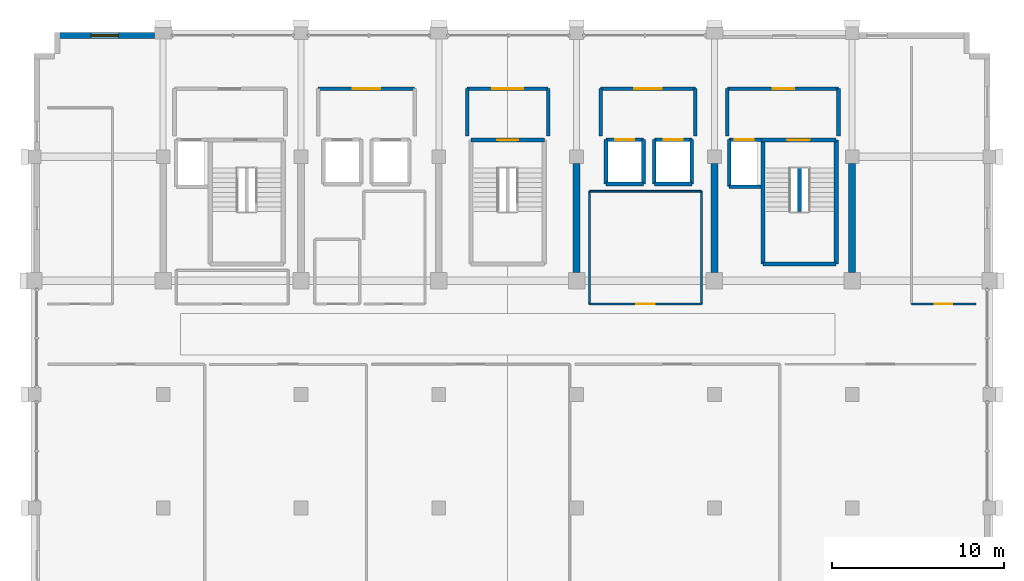
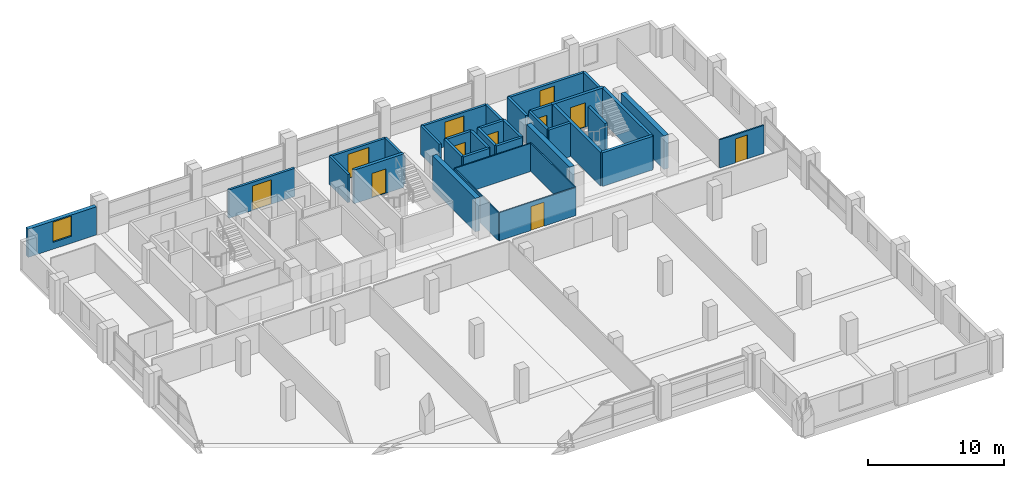
# One storey, part 21 of 23: 36 walls, 11 doors, 1 window, 12 openings.
"""IFC4 building model written with IfcOpenShell, lengths in metres."""

from ifc_helpers import new_model, si_unit, direction, frame, frame_2d, origin, place, context, subcontext, project, spatial, rectangle, extrude, material, layer, layer_set, type_object, element, fill, save


model = new_model("IFC4")

# Units and contexts
model_context = context("Model", 3, precision=1e-05, world=origin(), true_north=direction((0.0, 1.0)))
body_context = subcontext(model_context, "Body", "Model", "MODEL_VIEW")
ifc_project = project(units=[si_unit("LENGTHUNIT", "METRE"), si_unit("AREAUNIT", "SQUARE_METRE"), si_unit("VOLUMEUNIT", "CUBIC_METRE"), si_unit("PLANEANGLEUNIT", "RADIAN"), si_unit("MASSUNIT", "GRAM", prefix="KILO")], contexts=[model_context])

# Site, building, storey
site_placement = place(None, origin())
site = spatial("IfcSite", under=ifc_project, at=site_placement, CompositionType="ELEMENT")
building_placement = place(site_placement, origin())
building = spatial("IfcBuilding", under=site, at=building_placement, Name="Akrevak Sports Hall", CompositionType="ELEMENT")
storey_placement = place(building_placement, frame((0.0, 0.0, 43.800048828125)))
storey = spatial("IfcBuildingStorey", under=building, at=storey_placement, Name="L10", CompositionType="ELEMENT", Elevation=43.800048828125)

# Wall, opening, window
ifc_material_1 = material(Name="Limestone Ashlar", Category="stone")
ifc_layer_1 = layer(ifc_material_1, 0.070068359375, Name="Limestone Ashlar")
ifc_material_2 = material(Name="Mineral Wool Thermal Insulation", Category="insulation")
ifc_layer_2 = layer(ifc_material_2, 0.090087890625, Name="Mineral Wool Thermal Insulation")
ifc_material_3 = material(Name="Concrete C40/50", Category="concrete")
ifc_layer_3 = layer(ifc_material_3, 0.159912109375, Name="Concrete C40/50")
ifc_layer_set_1 = layer_set([ifc_layer_1, ifc_layer_2, ifc_layer_3], Name="Limestone Ashlar / Mineral Wool Thermal Insulation / Concrete C40/50")
wall_type_1 = type_object("IfcWallType", Name="ARC-WL-EXT-320", PredefinedType="SOLIDWALL", material=ifc_layer_set_1)
wall_1_placement = place(storey_placement, frame((59.5, 69.43994140625, 0.0), z_axis=(0.0, 0.0, 1.0), x_axis=(-1.0, 0.0, 0.0)))
wall_1 = element("IfcWall", 1, at=wall_1_placement, inside=storey, type_object=wall_type_1, Name="Tower Stone Facade Wall L10-N25", PredefinedType="SOLIDWALL", context=body_context, shape_type="SweptSolid", body=[
    extrude(rectangle(XDim=5.800048828125, YDim=0.320068359375, at=frame_2d((2.89990234375, 0.0))), origin(), (0.0, 0.0, 1.0), 2.530029296875),
])
opening_1_placement = place(wall_1_placement, frame((2.10009765625, 0.0, 0.6201171875)))
opening_1 = element("IfcOpeningElement", 2, at=opening_1_placement, cuts=wall_1, Name="Opening WN-57", PredefinedType="OPENING", context=body_context, shape_type="SweptSolid", body=[
    extrude(rectangle(XDim=1.60009765625, YDim=1.81005859375, at=frame_2d((0.800048828125, 0.905029296875))), frame((0.0, 0.171875, 0.0), z_axis=(0.0, -1.0, 0.0), x_axis=(1.0, 0.0, 0.0)), (0.0, 0.0, 1.0), 0.343994140625),
])
ifc_material_4 = material(Name="Thermally Broken Bronze Frame & Double Low-E Glass", Category="glass")
window_type = type_object("IfcWindowType", Name="ARC-WIN-SZ-1600x1810", PartitioningType="SINGLE_PANEL", PredefinedType="WINDOW", material=ifc_material_4)
window_placement = place(opening_1_placement, origin())
window = element("IfcWindow", 3, at=window_placement, inside=storey, type_object=window_type, Name="Tower Window L10-N25", OverallHeight=1.81005859375, OverallWidth=1.60009765625, PartitioningType="SINGLE_PANEL", PredefinedType="WINDOW", context=body_context, shape_type="SweptSolid", body=[
    extrude(rectangle(XDim=1.60009765625, YDim=1.81005859375, at=frame_2d((0.800048828125, 0.905029296875))), frame((0.0, 0.030029296875, 0.0), z_axis=(0.0, -1.0, 0.0), x_axis=(1.0, 0.0, 0.0)), (0.0, 0.0, 1.0), 0.06005859375),
])
fill(opening_1, window)

# Wall, opening, door
ifc_material_5 = material(Name="Sanitary Cubicle Partition", Category="gypsum")
ifc_layer_4 = layer(ifc_material_5, 0.10009765625, Name="Sanitary Cubicle Partition")
ifc_layer_set_2 = layer_set([ifc_layer_4], Name="Sanitary Cubicle Partition")
wall_type_2 = type_object("IfcWallType", Name="ARC-WL-PRT-100", PredefinedType="PARTITIONING", material=ifc_layer_set_2)
wall_2_placement = place(storey_placement, frame((84.75, 53.85009765625, 0.0), z_axis=(0.0, 0.0, 1.0), x_axis=(1.0, 0.0, 0.0)))
wall_2 = element("IfcWall", 4, at=wall_2_placement, inside=storey, type_object=wall_type_2, Name="Interior Partition Sports Officiating Office L10-C1 (S)", PredefinedType="PARTITIONING", context=body_context, shape_type="SweptSolid", body=[
    extrude(rectangle(XDim=6.5, YDim=0.10009765625, at=frame_2d((3.25, 0.0))), origin(), (0.0, 0.0, 1.0), 2.530029296875),
])
opening_2_placement = place(wall_2_placement, frame((2.699951171875, 0.0, 0.0)))
opening_2 = element("IfcOpeningElement", 5, at=opening_2_placement, cuts=wall_2, Name="Opening ID-04", PredefinedType="OPENING", context=body_context, shape_type="SweptSolid", body=[
    extrude(rectangle(XDim=1.10009765625, YDim=2.14990234375, at=frame_2d((0.550048828125, 1.074951171875))), frame((0.0, 0.06201171875, 0.0), z_axis=(0.0, -1.0, 0.0), x_axis=(1.0, 0.0, 0.0)), (0.0, 0.0, 1.0), 0.1240234375),
])
ifc_material_6 = material(Name="Hardwood Oak Acoustic Leaf", Category="wood")
door_type_1 = type_object("IfcDoorType", Name="ARC-DR-OFF-110x215", OperationType="NOTDEFINED", PredefinedType="DOOR", material=ifc_material_6)
door_1_placement = place(opening_2_placement, frame((1.10009765625, 0.0, 0.0), z_axis=(0.0, 0.0, 1.0), x_axis=(-1.0, 0.0, 0.0)))
door_1 = element("IfcDoor", 6, at=door_1_placement, inside=storey, type_object=door_type_1, Name="Door to Sports Officiating Office L10-C1", OperationType="SINGLE_SWING_RIGHT", OverallHeight=2.14990234375, OverallWidth=1.10009765625, PredefinedType="DOOR", context=body_context, shape_type="SweptSolid", body=[
    extrude(rectangle(XDim=1.10009765625, YDim=2.14990234375, at=frame_2d((0.550048828125, 1.074951171875))), frame((0.0, 0.02490234375, 0.0), z_axis=(0.0, -1.0, 0.0), x_axis=(1.0, 0.0, 0.0)), (0.0, 0.0, 1.0), 0.050048828125),
])
fill(opening_2, door_1)

# Walls
wall_3_placement = place(storey_placement, frame((84.75, 60.39990234375, 0.0), z_axis=(0.0, 0.0, 1.0), x_axis=(1.0, 0.0, 0.0)))
element("IfcWall", 7, at=wall_3_placement, inside=storey, type_object=wall_type_2, Name="Interior Partition Sports Officiating Office L10-C1 (N)", PredefinedType="PARTITIONING", context=body_context, shape_type="SweptSolid", body=[
    extrude(rectangle(XDim=6.5, YDim=0.10009765625, at=frame_2d((3.25, 0.0))), origin(), (0.0, 0.0, 1.0), 2.530029296875),
])
for number, where, z_axis, x_axis, name in (
    (8, (84.75, 53.85009765625, 0.0), (0.0, 0.0, 1.0), (0.0, 1.0, 0.0), "Interior Partition Sports Officiating Office L10-C1 (W)"),
    (9, (91.25, 53.85009765625, 0.0), (0.0, 0.0, 1.0), (0.0, 1.0, 0.0), "Interior Partition Sports Officiating Office L10-C1 (E)"),
):
    element("IfcWall", number, at=place(storey_placement, frame(where, z_axis=z_axis, x_axis=x_axis)), inside=storey, type_object=wall_type_2, Name=name, PredefinedType="PARTITIONING", context=body_context, shape_type="SweptSolid", body=[
        extrude(rectangle(XDim=6.5498046875, YDim=0.10009765625, at=frame_2d((3.27490234375, 0.0))), origin(), (0.0, 0.0, 1.0), 2.530029296875),
    ])

# Wall, opening, door
ifc_material_7 = material(Name="Standard Metal Stud Partition", Category="gypsum")
ifc_layer_5 = layer(ifc_material_7, 0.1201171875, Name="Standard Metal Stud Partition")
ifc_layer_set_3 = layer_set([ifc_layer_5], Name="Standard Metal Stud Partition")
wall_type_3 = type_object("IfcWallType", Name="ARC-WL-PRT-120", PredefinedType="PARTITIONING", material=ifc_layer_set_3)
wall_4_placement = place(storey_placement, frame((103.449951171875, 53.85009765625, 0.0), z_axis=(0.0, 0.0, 1.0), x_axis=(1.0, 0.0, 0.0)))
wall_4 = element("IfcWall", 10, at=wall_4_placement, inside=storey, type_object=wall_type_3, Name="Interior Partition Federation Research Office L10-E1 (S)", PredefinedType="PARTITIONING", context=body_context, shape_type="SweptSolid", body=[
    extrude(rectangle(XDim=3.75, YDim=0.1201171875, at=frame_2d((1.875, 0.0))), origin(), (0.0, 0.0, 1.0), 2.530029296875),
])
opening_3_placement = place(wall_4_placement, frame((1.35009765625, 0.0, 0.0)))
opening_3 = element("IfcOpeningElement", 11, at=opening_3_placement, cuts=wall_4, Name="Opening ID-06", PredefinedType="OPENING", context=body_context, shape_type="SweptSolid", body=[
    extrude(rectangle(XDim=1.0, YDim=2.14990234375, at=frame_2d((0.5, 1.074951171875))), frame((0.0, 0.072021484375, 0.0), z_axis=(0.0, -1.0, 0.0), x_axis=(1.0, 0.0, 0.0)), (0.0, 0.0, 1.0), 0.14404296875),
])
door_type_2 = type_object("IfcDoorType", Name="ARC-DR-OFF-100x215", OperationType="NOTDEFINED", PredefinedType="DOOR", material=ifc_material_6)
door_2_placement = place(opening_3_placement, origin())
door_2 = element("IfcDoor", 12, at=door_2_placement, inside=storey, type_object=door_type_2, Name="Door to Federation Research Office L10-E1", OperationType="SINGLE_SWING_LEFT", OverallHeight=2.14990234375, OverallWidth=1.0, PredefinedType="DOOR", context=body_context, shape_type="SweptSolid", body=[
    extrude(rectangle(XDim=1.0, YDim=2.14990234375, at=frame_2d((0.5, 1.074951171875))), frame((0.0, 0.02490234375, 0.0), z_axis=(0.0, -1.0, 0.0), x_axis=(1.0, 0.0, 0.0)), (0.0, 0.0, 1.0), 0.050048828125),
])
fill(opening_3, door_2)

ifc_material_8 = material(Name="Autoclaved Aerated Masonry Block", Category="masonry")
ifc_layer_6 = layer(ifc_material_8, 0.199951171875, Name="Autoclaved Aerated Masonry Block")
ifc_layer_set_4 = layer_set([ifc_layer_6], Name="Autoclaved Aerated Masonry Block")
wall_type_4 = type_object("IfcWallType", Name="ARC-WL-PRT-200", PredefinedType="PARTITIONING", material=ifc_layer_set_4)
wall_5_placement = place(storey_placement, frame((69.0, 66.35009765625, 0.0), z_axis=(0.0, 0.0, 1.0), x_axis=(1.0, 0.0, 0.0)))
wall_5 = element("IfcWall", 13, at=wall_5_placement, inside=storey, type_object=wall_type_4, Name="Interior Partition West Passenger Lift Lobby L10 (N)", PredefinedType="PARTITIONING", context=body_context, shape_type="SweptSolid", body=[
    extrude(rectangle(XDim=5.60009765625, YDim=0.199951171875, at=frame_2d((2.800048828125, 0.0))), origin(), (0.0, 0.0, 1.0), 2.530029296875),
])
opening_4_placement = place(wall_5_placement, frame((2.0, 0.0, 0.0)))
opening_4 = element("IfcOpeningElement", 14, at=opening_4_placement, cuts=wall_5, Name="Opening ID-03", PredefinedType="OPENING", context=body_context, shape_type="SweptSolid", body=[
    extrude(rectangle(XDim=1.60009765625, YDim=2.199951171875, at=frame_2d((0.800048828125, 1.10009765625))), frame((0.0, 0.11181640625, 0.0), z_axis=(0.0, -1.0, 0.0), x_axis=(1.0, 0.0, 0.0)), (0.0, 0.0, 1.0), 0.223876953125),
])
ifc_material_9 = material(Name="Hardwood Oak & Safety Glass", Category="wood")
door_type_3 = type_object("IfcDoorType", Name="ARC-DR-HALL-160x220", OperationType="DOUBLE_DOOR_SINGLE_SWING", PredefinedType="DOOR", material=ifc_material_9)
door_3_placement = place(opening_4_placement, origin())
door_3 = element("IfcDoor", 15, at=door_3_placement, inside=storey, type_object=door_type_3, Name="Door to West Passenger Lift Lobby L10", OperationType="DOUBLE_DOOR_SINGLE_SWING", OverallHeight=2.199951171875, OverallWidth=1.60009765625, PredefinedType="DOOR", context=body_context, shape_type="SweptSolid", body=[
    extrude(rectangle(XDim=1.60009765625, YDim=2.199951171875, at=frame_2d((0.800048828125, 1.10009765625))), frame((0.0, 0.02490234375, 0.0), z_axis=(0.0, -1.0, 0.0), x_axis=(1.0, 0.0, 0.0)), (0.0, 0.0, 1.0), 0.050048828125),
])
fill(opening_4, door_3)

wall_6_placement = place(storey_placement, frame((85.39990234375, 66.35009765625, 0.0), z_axis=(0.0, 0.0, 1.0), x_axis=(1.0, 0.0, 0.0)))
wall_6 = element("IfcWall", 16, at=wall_6_placement, inside=storey, type_object=wall_type_4, Name="Interior Partition East Passenger Lift Lobby L10 (N)", PredefinedType="PARTITIONING", context=body_context, shape_type="SweptSolid", body=[
    extrude(rectangle(XDim=5.5, YDim=0.199951171875, at=frame_2d((2.75, 0.0))), origin(), (0.0, 0.0, 1.0), 2.530029296875),
])
opening_5_placement = place(wall_6_placement, frame((1.949951171875, 0.0, 0.0)))
opening_5 = element("IfcOpeningElement", 17, at=opening_5_placement, cuts=wall_6, Name="Opening ID-03", PredefinedType="OPENING", context=body_context, shape_type="SweptSolid", body=[
    extrude(rectangle(XDim=1.60009765625, YDim=2.199951171875, at=frame_2d((0.800048828125, 1.10009765625))), frame((0.0, 0.11181640625, 0.0), z_axis=(0.0, -1.0, 0.0), x_axis=(1.0, 0.0, 0.0)), (0.0, 0.0, 1.0), 0.223876953125),
])
door_4_placement = place(opening_5_placement, origin())
door_4 = element("IfcDoor", 18, at=door_4_placement, inside=storey, type_object=door_type_3, Name="Door to East Passenger Lift Lobby L10", OperationType="DOUBLE_DOOR_SINGLE_SWING", OverallHeight=2.199951171875, OverallWidth=1.60009765625, PredefinedType="DOOR", context=body_context, shape_type="SweptSolid", body=[
    extrude(rectangle(XDim=1.60009765625, YDim=2.199951171875, at=frame_2d((0.800048828125, 1.10009765625))), frame((0.0, 0.02490234375, 0.0), z_axis=(0.0, -1.0, 0.0), x_axis=(1.0, 0.0, 0.0)), (0.0, 0.0, 1.0), 0.050048828125),
])
fill(opening_5, door_4)

# Walls
for number, where, z_axis, x_axis, name in (
    (19, (85.39990234375, 63.60009765625, 0.0), (0.0, 0.0, 1.0), (0.0, 1.0, 0.0), "Interior Partition East Passenger Lift Lobby L10 (W)"),
    (20, (90.89990234375, 63.60009765625, 0.0), (0.0, 0.0, 1.0), (0.0, 1.0, 0.0), "Interior Partition East Passenger Lift Lobby L10 (E)"),
):
    element("IfcWall", number, at=place(storey_placement, frame(where, z_axis=z_axis, x_axis=x_axis)), inside=storey, type_object=wall_type_4, Name=name, PredefinedType="PARTITIONING", context=body_context, shape_type="SweptSolid", body=[
        extrude(rectangle(XDim=2.75, YDim=0.199951171875, at=frame_2d((1.375, 0.0))), origin(), (0.0, 0.0, 1.0), 2.530029296875),
    ])

# Wall, opening, door
wall_7_placement = place(storey_placement, frame((77.64990234375, 66.35009765625, 0.0), z_axis=(0.0, 0.0, 1.0), x_axis=(1.0, 0.0, 0.0)))
wall_7 = element("IfcWall", 21, at=wall_7_placement, inside=storey, type_object=wall_type_4, Name="Interior Partition Central Stair ST3 Vestibule L10 (N)", PredefinedType="PARTITIONING", context=body_context, shape_type="SweptSolid", body=[
    extrude(rectangle(XDim=4.7001953125, YDim=0.199951171875, at=frame_2d((2.35009765625, 0.0))), origin(), (0.0, 0.0, 1.0), 2.530029296875),
])
opening_6_placement = place(wall_7_placement, frame((1.449951171875, 0.0, 0.0)))
opening_6 = element("IfcOpeningElement", 22, at=opening_6_placement, cuts=wall_7, Name="Opening FD-02", PredefinedType="OPENING", context=body_context, shape_type="SweptSolid", body=[
    extrude(rectangle(XDim=1.800048828125, YDim=2.199951171875, at=frame_2d((0.89990234375, 1.10009765625))), frame((0.0, 0.11181640625, 0.0), z_axis=(0.0, -1.0, 0.0), x_axis=(1.0, 0.0, 0.0)), (0.0, 0.0, 1.0), 0.223876953125),
])
ifc_material_10 = material(Name="Fire-Rated Galvanized Door Steel", Category="steel")
door_type_4 = type_object("IfcDoorType", Name="ARC-DR-FIRE-180x220", OperationType="DOUBLE_DOOR_SINGLE_SWING", PredefinedType="DOOR", material=ifc_material_10)
door_5_placement = place(opening_6_placement, frame((1.800048828125, 0.0, 0.0), z_axis=(0.0, 0.0, 1.0), x_axis=(-1.0, 0.0, 0.0)))
door_5 = element("IfcDoor", 23, at=door_5_placement, inside=storey, type_object=door_type_4, Name="Door to Central Stair ST3 Vestibule L10", OperationType="DOUBLE_DOOR_SINGLE_SWING", OverallHeight=2.199951171875, OverallWidth=1.800048828125, PredefinedType="DOOR", context=body_context, shape_type="SweptSolid", body=[
    extrude(rectangle(XDim=1.800048828125, YDim=2.199951171875, at=frame_2d((0.89990234375, 1.10009765625))), frame((0.0, 0.02490234375, 0.0), z_axis=(0.0, -1.0, 0.0), x_axis=(1.0, 0.0, 0.0)), (0.0, 0.0, 1.0), 0.050048828125),
])
fill(opening_6, door_5)

# Walls
for number, where, z_axis, x_axis, name in (
    (24, (77.64990234375, 63.60009765625, 0.0), (0.0, 0.0, 1.0), (0.0, 1.0, 0.0), "Interior Partition Central Stair ST3 Vestibule L10 (W)"),
    (25, (82.35009765625, 63.60009765625, 0.0), (0.0, 0.0, 1.0), (0.0, 1.0, 0.0), "Interior Partition Central Stair ST3 Vestibule L10 (E)"),
):
    element("IfcWall", number, at=place(storey_placement, frame(where, z_axis=z_axis, x_axis=x_axis)), inside=storey, type_object=wall_type_4, Name=name, PredefinedType="PARTITIONING", context=body_context, shape_type="SweptSolid", body=[
        extrude(rectangle(XDim=2.75, YDim=0.199951171875, at=frame_2d((1.375, 0.0))), origin(), (0.0, 0.0, 1.0), 2.530029296875),
    ])
ifc_layer_7 = layer(ifc_material_3, 0.219970703125, Name="Concrete C40/50")
ifc_layer_set_5 = layer_set([ifc_layer_7], Name="Concrete C40/50")
wall_type_5 = type_object("IfcWallType", Name="ARC-WL-PRT-220", PredefinedType="PARTITIONING", material=ifc_layer_set_5)
wall_8_placement = place(storey_placement, frame((96.949951171875, 59.215087890625, 0.0), z_axis=(0.0, 0.0, 1.0), x_axis=(0.0, 1.0, 0.0)))
element("IfcWall", 26, at=wall_8_placement, inside=storey, type_object=wall_type_5, Name="Stair ST2 Central Spine Wall (L10)", PredefinedType="PARTITIONING", context=body_context, shape_type="SweptSolid", body=[
    extrude(rectangle(XDim=2.52001953125, YDim=0.219970703125, at=frame_2d((1.260009765625, 0.0))), origin(), (0.0, 0.0, 1.0), 3.02001953125),
])

# Wall, opening, door
wall_9_placement = place(storey_placement, frame((92.75, 66.35009765625, 0.0), z_axis=(0.0, 0.0, 1.0), x_axis=(1.0, 0.0, 0.0)))
wall_9 = element("IfcWall", 27, at=wall_9_placement, inside=storey, type_object=wall_type_5, Name="Interior Partition Firefighting Lobby East L10 (N)", PredefinedType="PARTITIONING", context=body_context, shape_type="SweptSolid", body=[
    extrude(rectangle(XDim=6.449951171875, YDim=0.219970703125, at=frame_2d((3.22509765625, 0.0))), origin(), (0.0, 0.0, 1.0), 2.530029296875),
])
opening_7_placement = place(wall_9_placement, frame((2.625, 0.0, 0.0)))
opening_7 = element("IfcOpeningElement", 28, at=opening_7_placement, cuts=wall_9, Name="Opening FD-01", PredefinedType="OPENING", context=body_context, shape_type="SweptSolid", body=[
    extrude(rectangle(XDim=1.25, YDim=2.199951171875, at=frame_2d((0.625, 1.10009765625))), frame((0.0, 0.1220703125, 0.0), z_axis=(0.0, -1.0, 0.0), x_axis=(1.0, 0.0, 0.0)), (0.0, 0.0, 1.0), 0.243896484375),
])
door_type_5 = type_object("IfcDoorType", Name="ARC-DR-FFL-125x220", OperationType="NOTDEFINED", PredefinedType="DOOR", material=ifc_material_10)
door_6_placement = place(opening_7_placement, frame((1.25, 0.0, 0.0), z_axis=(0.0, 0.0, 1.0), x_axis=(-1.0, 0.0, 0.0)))
door_6 = element("IfcDoor", 29, at=door_6_placement, inside=storey, type_object=door_type_5, Name="Door to Firefighting Lobby East L10", OperationType="SINGLE_SWING_LEFT", OverallHeight=2.199951171875, OverallWidth=1.25, PredefinedType="DOOR", context=body_context, shape_type="SweptSolid", body=[
    extrude(rectangle(XDim=1.25, YDim=2.199951171875, at=frame_2d((0.625, 1.10009765625))), frame((0.0, 0.02490234375, 0.0), z_axis=(0.0, -1.0, 0.0), x_axis=(1.0, 0.0, 0.0)), (0.0, 0.0, 1.0), 0.050048828125),
])
fill(opening_7, door_6)

# Walls
for number, where, z_axis, x_axis, name in (
    (30, (92.75, 63.60009765625, 0.0), (0.0, 0.0, 1.0), (0.0, 1.0, 0.0), "Interior Partition Firefighting Lobby East L10 (W)"),
    (31, (99.199951171875, 63.60009765625, 0.0), (0.0, 0.0, 1.0), (0.0, 1.0, 0.0), "Interior Partition Firefighting Lobby East L10 (E)"),
):
    element("IfcWall", number, at=place(storey_placement, frame(where, z_axis=z_axis, x_axis=x_axis)), inside=storey, type_object=wall_type_5, Name=name, PredefinedType="PARTITIONING", context=body_context, shape_type="SweptSolid", body=[
        extrude(rectangle(XDim=2.75, YDim=0.219970703125, at=frame_2d((1.375, 0.0))), origin(), (0.0, 0.0, 1.0), 2.530029296875),
    ])
ifc_material_11 = material(Name="Concrete C50/60", Category="concrete")
ifc_layer_8 = layer(ifc_material_11, 0.219970703125, Name="Concrete C50/60")
ifc_layer_set_6 = layer_set([ifc_layer_8], Name="Concrete C50/60")
wall_type_6 = type_object("IfcWallType", Name="ARC-WL-SHAFT-220", PredefinedType="SHEAR", material=ifc_layer_set_6)
wall_10_placement = place(storey_placement, frame((92.860107421875, 60.659912109375, 0.0), z_axis=(0.0, 0.0, 1.0), x_axis=(1.0, 0.0, 0.0)))
element("IfcWall", 32, at=wall_10_placement, inside=storey, type_object=wall_type_6, Name="Lift Shaft LF-FF2 Wall S (L10)", PredefinedType="SHEAR", context=body_context, shape_type="SweptSolid", body=[
    extrude(rectangle(XDim=1.83984375, YDim=0.219970703125, at=frame_2d((0.919921875, 0.0))), origin(), (0.0, 0.0, 1.0), 3.02001953125),
])

# Wall, opening, door
wall_11_placement = place(storey_placement, frame((94.699951171875, 63.389892578125, 0.0), z_axis=(0.0, 0.0, 1.0), x_axis=(-1.0, 0.0, 0.0)))
wall_11 = element("IfcWall", 33, at=wall_11_placement, inside=storey, type_object=wall_type_6, Name="Lift Shaft LF-FF2 Wall N (L10)", PredefinedType="SHEAR", context=body_context, shape_type="SweptSolid", body=[
    extrude(rectangle(XDim=1.83984375, YDim=0.219970703125, at=frame_2d((0.919921875, 0.0))), origin(), (0.0, 0.0, 1.0), 3.02001953125),
])
opening_8_placement = place(wall_11_placement, frame((0.425048828125, 0.0, 0.0)))
opening_8 = element("IfcOpeningElement", 34, at=opening_8_placement, cuts=wall_11, Name="Opening LD-01", PredefinedType="OPENING", context=body_context, shape_type="SweptSolid", body=[
    extrude(rectangle(XDim=1.10009765625, YDim=2.199951171875, at=frame_2d((0.550048828125, 1.10009765625))), frame((0.0, 0.1220703125, 0.0), z_axis=(0.0, -1.0, 0.0), x_axis=(1.0, 0.0, 0.0)), (0.0, 0.0, 1.0), 0.243896484375),
])
ifc_material_12 = material(Name="Brushed Stainless Steel 304", Category="steel")
door_type_6 = type_object("IfcDoorType", Name="ARC-DR-LD-110x220", OperationType="SLIDING_TO_LEFT", PredefinedType="DOOR", material=ifc_material_12)
door_7_placement = place(opening_8_placement, origin())
door_7 = element("IfcDoor", 35, at=door_7_placement, inside=storey, type_object=door_type_6, Name="Lift LF-FF2 Sliding Landing Door (L10)", OperationType="SLIDING_TO_LEFT", OverallHeight=2.199951171875, OverallWidth=1.10009765625, PredefinedType="DOOR", context=body_context, shape_type="SweptSolid", body=[
    extrude(rectangle(XDim=1.10009765625, YDim=2.199951171875, at=frame_2d((0.550048828125, 1.10009765625))), frame((0.0, 0.02490234375, 0.0), z_axis=(0.0, -1.0, 0.0), x_axis=(1.0, 0.0, 0.0)), (0.0, 0.0, 1.0), 0.050048828125),
])
fill(opening_8, door_7)

# Walls
wall_12_placement = place(storey_placement, frame((92.860107421875, 63.389892578125, 0.0), z_axis=(0.0, 0.0, 1.0), x_axis=(0.0, -1.0, 0.0)))
element("IfcWall", 36, at=wall_12_placement, inside=storey, type_object=wall_type_6, Name="Lift Shaft LF-FF2 Wall W (L10)", PredefinedType="SHEAR", context=body_context, shape_type="SweptSolid", body=[
    extrude(rectangle(XDim=2.72998046875, YDim=0.219970703125, at=frame_2d((1.364990234375, 0.0))), origin(), (0.0, 0.0, 1.0), 3.02001953125),
])
wall_13_placement = place(storey_placement, frame((85.7099609375, 60.81005859375, 0.0), z_axis=(0.0, 0.0, 1.0), x_axis=(1.0, 0.0, 0.0)))
element("IfcWall", 37, at=wall_13_placement, inside=storey, type_object=wall_type_6, Name="Lift Shaft LF-P3 Wall S (L10)", PredefinedType="SHEAR", context=body_context, shape_type="SweptSolid", body=[
    extrude(rectangle(XDim=2.179931640625, YDim=0.219970703125, at=frame_2d((1.08984375, 0.0))), origin(), (0.0, 0.0, 1.0), 3.02001953125),
])

# Wall, opening, door
wall_14_placement = place(storey_placement, frame((87.889892578125, 63.389892578125, 0.0), z_axis=(0.0, 0.0, 1.0), x_axis=(-1.0, 0.0, 0.0)))
wall_14 = element("IfcWall", 38, at=wall_14_placement, inside=storey, type_object=wall_type_6, Name="Lift Shaft LF-P3 Wall N (L10)", PredefinedType="SHEAR", context=body_context, shape_type="SweptSolid", body=[
    extrude(rectangle(XDim=2.179931640625, YDim=0.219970703125, at=frame_2d((1.08984375, 0.0))), origin(), (0.0, 0.0, 1.0), 3.02001953125),
])
opening_9_placement = place(wall_14_placement, frame((0.5400390625, 0.0, 0.0)))
opening_9 = element("IfcOpeningElement", 39, at=opening_9_placement, cuts=wall_14, Name="Opening LD-01", PredefinedType="OPENING", context=body_context, shape_type="SweptSolid", body=[
    extrude(rectangle(XDim=1.10009765625, YDim=2.199951171875, at=frame_2d((0.550048828125, 1.10009765625))), frame((0.0, 0.1220703125, 0.0), z_axis=(0.0, -1.0, 0.0), x_axis=(1.0, 0.0, 0.0)), (0.0, 0.0, 1.0), 0.243896484375),
])
door_8_placement = place(opening_9_placement, origin())
door_8 = element("IfcDoor", 40, at=door_8_placement, inside=storey, type_object=door_type_6, Name="Lift LF-P3 Sliding Landing Door (L10)", OperationType="SLIDING_TO_LEFT", OverallHeight=2.199951171875, OverallWidth=1.10009765625, PredefinedType="DOOR", context=body_context, shape_type="SweptSolid", body=[
    extrude(rectangle(XDim=1.10009765625, YDim=2.199951171875, at=frame_2d((0.550048828125, 1.10009765625))), frame((0.0, 0.02490234375, 0.0), z_axis=(0.0, -1.0, 0.0), x_axis=(1.0, 0.0, 0.0)), (0.0, 0.0, 1.0), 0.050048828125),
])
fill(opening_9, door_8)

# Walls
for number, where, z_axis, x_axis, name in (
    (41, (85.7099609375, 63.389892578125, 0.0), (0.0, 0.0, 1.0), (0.0, -1.0, 0.0), "Lift Shaft LF-P3 Wall W (L10)"),
    (42, (87.889892578125, 60.81005859375, 0.0), (0.0, 0.0, 1.0), (0.0, 1.0, 0.0), "Lift Shaft LF-P3 Wall E (L10)"),
):
    element("IfcWall", number, at=place(storey_placement, frame(where, z_axis=z_axis, x_axis=x_axis)), inside=storey, type_object=wall_type_6, Name=name, PredefinedType="SHEAR", context=body_context, shape_type="SweptSolid", body=[
        extrude(rectangle(XDim=2.579833984375, YDim=0.219970703125, at=frame_2d((1.2900390625, 0.0))), origin(), (0.0, 0.0, 1.0), 3.02001953125),
    ])
wall_15_placement = place(storey_placement, frame((88.510009765625, 60.81005859375, 0.0), z_axis=(0.0, 0.0, 1.0), x_axis=(1.0, 0.0, 0.0)))
element("IfcWall", 43, at=wall_15_placement, inside=storey, type_object=wall_type_6, Name="Lift Shaft LF-P4 Wall S (L10)", PredefinedType="SHEAR", context=body_context, shape_type="SweptSolid", body=[
    extrude(rectangle(XDim=2.179931640625, YDim=0.219970703125, at=frame_2d((1.08984375, 0.0))), origin(), (0.0, 0.0, 1.0), 3.02001953125),
])

# Wall, opening, door
wall_16_placement = place(storey_placement, frame((90.68994140625, 63.389892578125, 0.0), z_axis=(0.0, 0.0, 1.0), x_axis=(-1.0, 0.0, 0.0)))
wall_16 = element("IfcWall", 44, at=wall_16_placement, inside=storey, type_object=wall_type_6, Name="Lift Shaft LF-P4 Wall N (L10)", PredefinedType="SHEAR", context=body_context, shape_type="SweptSolid", body=[
    extrude(rectangle(XDim=2.179931640625, YDim=0.219970703125, at=frame_2d((1.08984375, 0.0))), origin(), (0.0, 0.0, 1.0), 3.02001953125),
])
opening_10_placement = place(wall_16_placement, frame((0.5400390625, 0.0, 0.0)))
opening_10 = element("IfcOpeningElement", 45, at=opening_10_placement, cuts=wall_16, Name="Opening LD-01", PredefinedType="OPENING", context=body_context, shape_type="SweptSolid", body=[
    extrude(rectangle(XDim=1.10009765625, YDim=2.199951171875, at=frame_2d((0.550048828125, 1.10009765625))), frame((0.0, 0.1220703125, 0.0), z_axis=(0.0, -1.0, 0.0), x_axis=(1.0, 0.0, 0.0)), (0.0, 0.0, 1.0), 0.243896484375),
])
door_9_placement = place(opening_10_placement, origin())
door_9 = element("IfcDoor", 46, at=door_9_placement, inside=storey, type_object=door_type_6, Name="Lift LF-P4 Sliding Landing Door (L10)", OperationType="SLIDING_TO_LEFT", OverallHeight=2.199951171875, OverallWidth=1.10009765625, PredefinedType="DOOR", context=body_context, shape_type="SweptSolid", body=[
    extrude(rectangle(XDim=1.10009765625, YDim=2.199951171875, at=frame_2d((0.550048828125, 1.10009765625))), frame((0.0, 0.02490234375, 0.0), z_axis=(0.0, -1.0, 0.0), x_axis=(1.0, 0.0, 0.0)), (0.0, 0.0, 1.0), 0.050048828125),
])
fill(opening_10, door_9)

# Walls
for number, where, z_axis, x_axis, name in (
    (47, (88.510009765625, 63.389892578125, 0.0), (0.0, 0.0, 1.0), (0.0, -1.0, 0.0), "Lift Shaft LF-P4 Wall W (L10)"),
    (48, (90.68994140625, 60.81005859375, 0.0), (0.0, 0.0, 1.0), (0.0, 1.0, 0.0), "Lift Shaft LF-P4 Wall E (L10)"),
):
    element("IfcWall", number, at=place(storey_placement, frame(where, z_axis=z_axis, x_axis=x_axis)), inside=storey, type_object=wall_type_6, Name=name, PredefinedType="SHEAR", context=body_context, shape_type="SweptSolid", body=[
        extrude(rectangle(XDim=2.579833984375, YDim=0.219970703125, at=frame_2d((1.2900390625, 0.0))), origin(), (0.0, 0.0, 1.0), 3.02001953125),
    ])
ifc_layer_9 = layer(ifc_material_11, 0.39990234375, Name="Concrete C50/60")
ifc_layer_set_7 = layer_set([ifc_layer_9], Name="Concrete C50/60")
wall_type_7 = type_object("IfcWallType", Name="STR-WL-CORE-400", PredefinedType="SHEAR", material=ifc_layer_set_7)
for number, where, z_axis, x_axis, name in (
    (49, (84.0, 55.675048828125, 0.0), (0.0, 0.0, 1.0), (0.0, 1.0, 0.0), "Reinforced Concrete Shear Wall SW-C2 (L10)"),
    (50, (92.0, 55.675048828125, 0.0), (0.0, 0.0, 1.0), (0.0, 1.0, 0.0), "Reinforced Concrete Shear Wall SW-E1 (L10)"),
    (51, (100.0, 55.675048828125, 0.0), (0.0, 0.0, 1.0), (0.0, 1.0, 0.0), "Reinforced Concrete Shear Wall SW-E2 (L10)"),
):
    element("IfcWall", number, at=place(storey_placement, frame(where, z_axis=z_axis, x_axis=x_axis)), inside=storey, type_object=wall_type_7, Name=name, PredefinedType="SHEAR", context=body_context, shape_type="SweptSolid", body=[
        extrude(rectangle(XDim=6.324951171875, YDim=0.39990234375, at=frame_2d((3.16259765625, 0.0))), origin(), (0.0, 0.0, 1.0), 3.02001953125),
    ])
ifc_layer_10 = layer(ifc_material_11, 0.25, Name="Concrete C50/60")
ifc_layer_set_8 = layer_set([ifc_layer_10], Name="Concrete C50/60")
wall_type_8 = type_object("IfcWallType", Name="STR-WL-STAIR-250", PredefinedType="SHEAR", material=ifc_layer_set_8)
wall_17_placement = place(storey_placement, frame((94.824951171875, 56.175048828125, 0.0), z_axis=(0.0, 0.0, 1.0), x_axis=(1.0, 0.0, 0.0)))
element("IfcWall", 52, at=wall_17_placement, inside=storey, type_object=wall_type_8, Name="Stair Core ST2 Shear Wall S (L10)", PredefinedType="SHEAR", context=body_context, shape_type="SweptSolid", body=[
    extrude(rectangle(XDim=4.25, YDim=0.25, at=frame_2d((2.125, 0.0))), origin(), (0.0, 0.0, 1.0), 3.02001953125),
])

# Wall, opening, door
wall_18_placement = place(storey_placement, frame((99.074951171875, 63.375, 0.0), z_axis=(0.0, 0.0, 1.0), x_axis=(-1.0, 0.0, 0.0)))
wall_18 = element("IfcWall", 53, at=wall_18_placement, inside=storey, type_object=wall_type_8, Name="Stair Core ST2 Shear Wall N (L10)", PredefinedType="SHEAR", context=body_context, shape_type="SweptSolid", body=[
    extrude(rectangle(XDim=4.375, YDim=0.25, at=frame_2d((2.1875, 0.0))), origin(), (0.0, 0.0, 1.0), 3.02001953125),
])
opening_11_placement = place(wall_18_placement, frame((1.53759765625, 0.0, 0.0)))
opening_11 = element("IfcOpeningElement", 54, at=opening_11_placement, cuts=wall_18, Name="Opening SD-01", PredefinedType="OPENING", context=body_context, shape_type="SweptSolid", body=[
    extrude(rectangle(XDim=1.300048828125, YDim=2.199951171875, at=frame_2d((0.64990234375, 1.10009765625))), frame((0.0, 0.136962890625, 0.0), z_axis=(0.0, -1.0, 0.0), x_axis=(1.0, 0.0, 0.0)), (0.0, 0.0, 1.0), 0.27392578125),
])
door_type_7 = type_object("IfcDoorType", Name="ARC-DR-STAIR-130x220", OperationType="NOTDEFINED", PredefinedType="DOOR", material=ifc_material_10)
door_10_placement = place(opening_11_placement, origin())
door_10 = element("IfcDoor", 55, at=door_10_placement, inside=storey, type_object=door_type_7, Name="Exit Stair ST2 Door (L10)", OperationType="SINGLE_SWING_LEFT", OverallHeight=2.199951171875, OverallWidth=1.300048828125, PredefinedType="DOOR", context=body_context, shape_type="SweptSolid", body=[
    extrude(rectangle(XDim=1.300048828125, YDim=2.199951171875, at=frame_2d((0.64990234375, 1.10009765625))), frame((0.0, 0.02490234375, 0.0), z_axis=(0.0, -1.0, 0.0), x_axis=(1.0, 0.0, 0.0)), (0.0, 0.0, 1.0), 0.050048828125),
])
fill(opening_11, door_10)

# Walls
wall_19_placement = place(storey_placement, frame((94.824951171875, 63.25, 0.0), z_axis=(0.0, 0.0, 1.0), x_axis=(0.0, -1.0, 0.0)))
element("IfcWall", 56, at=wall_19_placement, inside=storey, type_object=wall_type_8, Name="Stair Core ST2 Shear Wall W (L10)", PredefinedType="SHEAR", context=body_context, shape_type="SweptSolid", body=[
    extrude(rectangle(XDim=7.074951171875, YDim=0.25, at=frame_2d((3.53759765625, 0.0))), origin(), (0.0, 0.0, 1.0), 3.02001953125),
])
wall_20_placement = place(storey_placement, frame((99.074951171875, 56.175048828125, 0.0), z_axis=(0.0, 0.0, 1.0), x_axis=(0.0, 1.0, 0.0)))
element("IfcWall", 57, at=wall_20_placement, inside=storey, type_object=wall_type_8, Name="Stair Core ST2 Shear Wall E (L10)", PredefinedType="SHEAR", context=body_context, shape_type="SweptSolid", body=[
    extrude(rectangle(XDim=7.199951171875, YDim=0.25, at=frame_2d((3.60009765625, 0.0))), origin(), (0.0, 0.0, 1.0), 3.02001953125),
])

# Wall, opening, door
wall_21_placement = place(storey_placement, frame((82.125, 63.375, 0.0), z_axis=(0.0, 0.0, 1.0), x_axis=(-1.0, 0.0, 0.0)))
wall_21 = element("IfcWall", 58, at=wall_21_placement, inside=storey, type_object=wall_type_8, Name="Stair Core ST3 Shear Wall N (L10)", PredefinedType="SHEAR", context=body_context, shape_type="SweptSolid", body=[
    extrude(rectangle(XDim=4.25, YDim=0.25, at=frame_2d((2.125, 0.0))), origin(), (0.0, 0.0, 1.0), 3.02001953125),
])
opening_12_placement = place(wall_21_placement, frame((1.52490234375, 0.0, 0.0)))
opening_12 = element("IfcOpeningElement", 59, at=opening_12_placement, cuts=wall_21, Name="Opening SD-02", PredefinedType="OPENING", context=body_context, shape_type="SweptSolid", body=[
    extrude(rectangle(XDim=1.199951171875, YDim=2.199951171875, at=frame_2d((0.60009765625, 1.10009765625))), frame((0.0, 0.136962890625, 0.0), z_axis=(0.0, -1.0, 0.0), x_axis=(1.0, 0.0, 0.0)), (0.0, 0.0, 1.0), 0.27392578125),
])
door_type_8 = type_object("IfcDoorType", Name="ARC-DR-STAIR-120x220", OperationType="NOTDEFINED", PredefinedType="DOOR", material=ifc_material_10)
door_11_placement = place(opening_12_placement, origin())
door_11 = element("IfcDoor", 60, at=door_11_placement, inside=storey, type_object=door_type_8, Name="Exit Stair ST3 Door (L10)", OperationType="SINGLE_SWING_RIGHT", OverallHeight=2.199951171875, OverallWidth=1.199951171875, PredefinedType="DOOR", context=body_context, shape_type="SweptSolid", body=[
    extrude(rectangle(XDim=1.199951171875, YDim=2.199951171875, at=frame_2d((0.60009765625, 1.10009765625))), frame((0.0, 0.02490234375, 0.0), z_axis=(0.0, -1.0, 0.0), x_axis=(1.0, 0.0, 0.0)), (0.0, 0.0, 1.0), 0.050048828125),
])
fill(opening_12, door_11)

save(model, "model.ifc")
